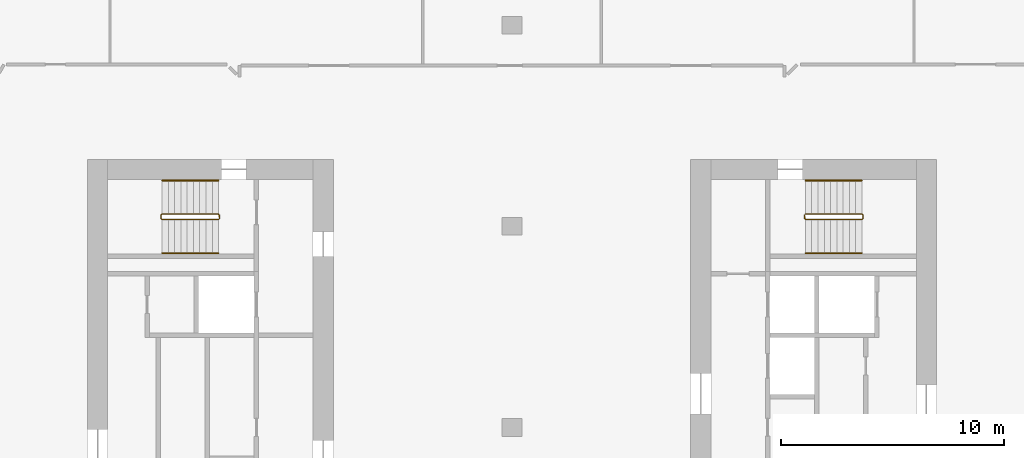
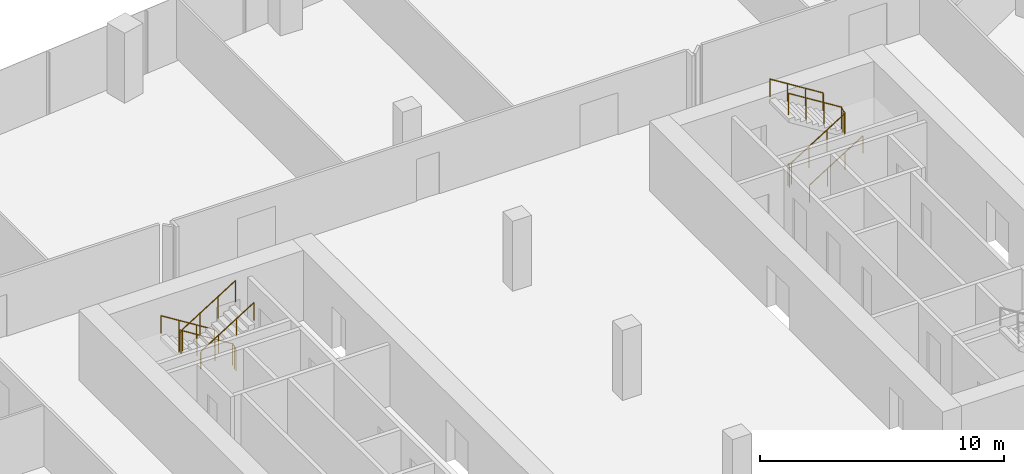
# One storey, part 25 of 25: 6 railings.
"""IFC4 building model written with IfcOpenShell, lengths in metres."""

from ifc_helpers import new_model, si_unit, direction, frame, origin, origin_2d, place, context, subcontext, project, spatial, circle, extrude, material, type_object, element, save


model = new_model("IFC4")

# Units and contexts
model_context = context("Model", 3, precision=1e-05, world=origin(), true_north=direction((0.0, 1.0)))
body_context = subcontext(model_context, "Body", "Model", "MODEL_VIEW")
ifc_project = project(units=[si_unit("LENGTHUNIT", "METRE"), si_unit("AREAUNIT", "SQUARE_METRE"), si_unit("VOLUMEUNIT", "CUBIC_METRE"), si_unit("PLANEANGLEUNIT", "RADIAN"), si_unit("MASSUNIT", "GRAM", prefix="KILO")], contexts=[model_context])

# Site, building, storey
site_placement = place(None, origin())
site = spatial("IfcSite", under=ifc_project, at=site_placement, CompositionType="ELEMENT")
building_placement = place(site_placement, origin())
building = spatial("IfcBuilding", under=site, at=building_placement, Name="Orlundy Tower", CompositionType="ELEMENT")
storey_placement = place(building_placement, frame((0.0, 0.0, 217.5)))
storey = spatial("IfcBuildingStorey", under=building, at=storey_placement, Name="L57", CompositionType="ELEMENT", Elevation=217.5)

# Railings
ifc_material_1 = material(Name="Steel balustrade", Category="steel")
railing_type_1 = type_object("IfcRailingType", Name="Stair Guard 1100", PredefinedType="GUARDRAIL", material=ifc_material_1)
railing_1_placement = place(storey_placement, frame((-13.090087890625, 9.5, 0.0)))
element("IfcRailing", 1, at=railing_1_placement, inside=storey, type_object=railing_type_1, Name="L57 ST-W1 stair guard 1", PredefinedType="GUARDRAIL", context=body_context, shape_type="SweptSolid", body=[
    extrude(circle(Radius=0.02392578125, at=origin_2d()), frame((0.0, 0.0, 1.076171875), z_axis=(0.0, -1.0, 0.0), x_axis=(1.0, 0.0, 0.0)), (0.0, 0.0, 1.0), 0.14990234375),
    extrude(circle(Radius=0.02392578125, at=origin_2d()), frame((0.0, -0.14990234375, 1.076171875), z_axis=(-0.18420542264, 0.739530593833, 0.647427882513), x_axis=(-0.970351222016, -0.241699205484, 0.0)), (0.0, 0.0, 1.0), 0.270263671875),
    extrude(circle(Radius=0.02392578125, at=origin_2d()), frame((-0.0498046875, 0.050048828125, 1.2509765625), z_axis=(-0.848007534815, 0.0, 0.529984170421), x_axis=(0.0, -1.0, 0.0)), (0.0, 0.0, 1.0), 2.9716796875),
    extrude(circle(Radius=0.02392578125, at=origin_2d()), frame((-2.56982421875, 0.050048828125, 2.826171875), z_axis=(-0.707106781187, -0.707106781187, 0.0), x_axis=(0.707106781187, -0.707106781187, 0.0)), (0.0, 0.0, 1.0), 0.07080078125),
    extrude(circle(Radius=0.02392578125, at=origin_2d()), frame((-2.619873046875, 0.0, 2.826171875), z_axis=(0.0, -1.0, 0.0), x_axis=(1.0, 0.0, 0.0)), (0.0, 0.0, 1.0), 0.14990234375),
    extrude(circle(Radius=0.02392578125, at=origin_2d()), frame((-2.619873046875, -0.14990234375, 2.826171875), z_axis=(0.265065253269, -0.265065253269, 0.927081885822), x_axis=(0.707106781187, 0.707106781187, 0.0)), (0.0, 0.0, 1.0), 0.188720703125),
    extrude(circle(Radius=0.02392578125, at=origin_2d()), frame((-2.56982421875, -0.199951171875, 3.0009765625), z_axis=(0.848007534815, 0.0, 0.529984170421), x_axis=(0.0, 1.0, 0.0)), (0.0, 0.0, 1.0), 2.9716796875),
    extrude(circle(Radius=0.02099609375, at=origin_2d()), origin(), (0.0, 0.0, 1.0), 1.052001953125),
    extrude(circle(Radius=0.02099609375, at=origin_2d()), frame((0.0, -0.14990234375, 0.0)), (0.0, 0.0, 1.0), 1.052001953125),
    extrude(circle(Radius=0.02099609375, at=origin_2d()), frame((-0.0498046875, 0.050048828125, 0.175048828125)), (0.0, 0.0, 1.0), 1.052001953125),
    extrude(circle(Radius=0.02099609375, at=origin_2d()), frame((-0.889892578125, 0.050048828125, 0.699951171875)), (0.0, 0.0, 1.0), 1.052001953125),
    extrude(circle(Radius=0.02099609375, at=origin_2d()), frame((-1.729736328125, 0.050048828125, 1.22509765625)), (0.0, 0.0, 1.0), 1.052001953125),
    extrude(circle(Radius=0.02099609375, at=origin_2d()), frame((-2.56982421875, 0.050048828125, 1.75)), (0.0, 0.0, 1.0), 1.052001953125),
    extrude(circle(Radius=0.02099609375, at=origin_2d()), frame((-2.619873046875, 0.0, 1.75)), (0.0, 0.0, 1.0), 1.052001953125),
    extrude(circle(Radius=0.02099609375, at=origin_2d()), frame((-2.619873046875, -0.14990234375, 1.75)), (0.0, 0.0, 1.0), 1.052001953125),
    extrude(circle(Radius=0.02099609375, at=origin_2d()), frame((-2.56982421875, -0.199951171875, 1.925048828125)), (0.0, 0.0, 1.0), 1.052001953125),
    extrude(circle(Radius=0.02099609375, at=origin_2d()), frame((-1.729736328125, -0.199951171875, 2.449951171875)), (0.0, 0.0, 1.0), 1.052001953125),
    extrude(circle(Radius=0.02099609375, at=origin_2d()), frame((-0.889892578125, -0.199951171875, 2.97509765625)), (0.0, 0.0, 1.0), 1.052001953125),
    extrude(circle(Radius=0.02099609375, at=origin_2d()), frame((-0.0498046875, -0.199951171875, 3.5)), (0.0, 0.0, 1.0), 1.052001953125),
])
railing_2_placement = place(storey_placement, frame((13.090087890625, 9.35009765625, 0.0)))
element("IfcRailing", 2, at=railing_2_placement, inside=storey, type_object=railing_type_1, Name="L57 ST-E2 stair guard 1", PredefinedType="GUARDRAIL", context=body_context, shape_type="SweptSolid", body=[
    extrude(circle(Radius=0.02392578125, at=origin_2d()), frame((0.0, 0.0, 1.076171875), z_axis=(0.0, 1.0, 0.0), x_axis=(-1.0, 0.0, 0.0)), (0.0, 0.0, 1.0), 0.14990234375),
    extrude(circle(Radius=0.02392578125, at=origin_2d()), frame((0.0, 0.14990234375, 1.076171875), z_axis=(0.18420542264, -0.739530593833, 0.647427882513), x_axis=(0.970351222016, 0.241699205484, 0.0)), (0.0, 0.0, 1.0), 0.270263671875),
    extrude(circle(Radius=0.02392578125, at=origin_2d()), frame((0.0498046875, -0.050048828125, 1.2509765625), z_axis=(0.848007534815, 0.0, 0.529984170421), x_axis=(0.0, 1.0, 0.0)), (0.0, 0.0, 1.0), 2.9716796875),
    extrude(circle(Radius=0.02392578125, at=origin_2d()), frame((2.56982421875, -0.050048828125, 2.826171875), z_axis=(0.707106781187, 0.707106781187, 0.0), x_axis=(-0.707106781187, 0.707106781187, 0.0)), (0.0, 0.0, 1.0), 0.07080078125),
    extrude(circle(Radius=0.02392578125, at=origin_2d()), frame((2.619873046875, 0.0, 2.826171875), z_axis=(0.0, 1.0, 0.0), x_axis=(-1.0, 0.0, 0.0)), (0.0, 0.0, 1.0), 0.14990234375),
    extrude(circle(Radius=0.02392578125, at=origin_2d()), frame((2.619873046875, 0.14990234375, 2.826171875), z_axis=(-0.265065253269, 0.265065253269, 0.927081885822), x_axis=(-0.707106781187, -0.707106781187, 0.0)), (0.0, 0.0, 1.0), 0.188720703125),
    extrude(circle(Radius=0.02392578125, at=origin_2d()), frame((2.56982421875, 0.199951171875, 3.0009765625), z_axis=(-0.848007534815, 0.0, 0.529984170421), x_axis=(0.0, -1.0, 0.0)), (0.0, 0.0, 1.0), 2.9716796875),
    extrude(circle(Radius=0.02099609375, at=origin_2d()), origin(), (0.0, 0.0, 1.0), 1.052001953125),
    extrude(circle(Radius=0.02099609375, at=origin_2d()), frame((0.0, 0.14990234375, 0.0)), (0.0, 0.0, 1.0), 1.052001953125),
    extrude(circle(Radius=0.02099609375, at=origin_2d()), frame((0.0498046875, -0.050048828125, 0.175048828125)), (0.0, 0.0, 1.0), 1.052001953125),
    extrude(circle(Radius=0.02099609375, at=origin_2d()), frame((0.889892578125, -0.050048828125, 0.699951171875)), (0.0, 0.0, 1.0), 1.052001953125),
    extrude(circle(Radius=0.02099609375, at=origin_2d()), frame((1.729736328125, -0.050048828125, 1.22509765625)), (0.0, 0.0, 1.0), 1.052001953125),
    extrude(circle(Radius=0.02099609375, at=origin_2d()), frame((2.56982421875, -0.050048828125, 1.75)), (0.0, 0.0, 1.0), 1.052001953125),
    extrude(circle(Radius=0.02099609375, at=origin_2d()), frame((2.619873046875, 0.0, 1.75)), (0.0, 0.0, 1.0), 1.052001953125),
    extrude(circle(Radius=0.02099609375, at=origin_2d()), frame((2.619873046875, 0.14990234375, 1.75)), (0.0, 0.0, 1.0), 1.052001953125),
    extrude(circle(Radius=0.02099609375, at=origin_2d()), frame((2.56982421875, 0.199951171875, 1.925048828125)), (0.0, 0.0, 1.0), 1.052001953125),
    extrude(circle(Radius=0.02099609375, at=origin_2d()), frame((1.729736328125, 0.199951171875, 2.449951171875)), (0.0, 0.0, 1.0), 1.052001953125),
    extrude(circle(Radius=0.02099609375, at=origin_2d()), frame((0.889892578125, 0.199951171875, 2.97509765625)), (0.0, 0.0, 1.0), 1.052001953125),
    extrude(circle(Radius=0.02099609375, at=origin_2d()), frame((0.0498046875, 0.199951171875, 3.5)), (0.0, 0.0, 1.0), 1.052001953125),
])
ifc_material_2 = material(Name="Steel handrail", Category="steel")
railing_type_2 = type_object("IfcRailingType", Name="Stair Handrail 900", PredefinedType="HANDRAIL", material=ifc_material_2)
railing_3_placement = place(storey_placement, frame((-13.139892578125, 11.050048828125, 0.175048828125)))
element("IfcRailing", 3, at=railing_3_placement, inside=storey, type_object=railing_type_2, Name="L57 ST-W1 stair handrail 1", PredefinedType="HANDRAIL", context=body_context, shape_type="SweptSolid", body=[
    extrude(circle(Radius=0.02392578125, at=origin_2d()), frame((0.0, 0.0, 0.8759765625), z_axis=(-0.848007534815, 0.0, 0.529984170421), x_axis=(0.0, -1.0, 0.0)), (0.0, 0.0, 1.0), 2.9716796875),
    extrude(circle(Radius=0.02099609375, at=origin_2d()), origin(), (0.0, 0.0, 1.0), 0.851806640625),
    extrude(circle(Radius=0.02099609375, at=origin_2d()), frame((-0.840087890625, 0.0, 0.52490234375)), (0.0, 0.0, 1.0), 0.851806640625),
    extrude(circle(Radius=0.02099609375, at=origin_2d()), frame((-1.679931640625, 0.0, 1.050048828125)), (0.0, 0.0, 1.0), 0.851806640625),
    extrude(circle(Radius=0.02099609375, at=origin_2d()), frame((-2.52001953125, 0.0, 1.574951171875)), (0.0, 0.0, 1.0), 0.851806640625),
])
for number, where, name in (
    (4, (-15.659912109375, 7.800048828125, 1.925048828125), "L57 ST-W1 stair handrail 2"),
    (5, (13.139892578125, 7.800048828125, 0.175048828125), "L57 ST-E2 stair handrail 1"),
):
    element("IfcRailing", number, at=place(storey_placement, frame(where)), inside=storey, type_object=railing_type_2, Name=name, PredefinedType="HANDRAIL", context=body_context, shape_type="SweptSolid", body=[
        extrude(circle(Radius=0.02392578125, at=origin_2d()), frame((0.0, 0.0, 0.8759765625), z_axis=(0.848007534815, 0.0, 0.529984170421), x_axis=(0.0, 1.0, 0.0)), (0.0, 0.0, 1.0), 2.9716796875),
        extrude(circle(Radius=0.02099609375, at=origin_2d()), origin(), (0.0, 0.0, 1.0), 0.851806640625),
        extrude(circle(Radius=0.02099609375, at=origin_2d()), frame((0.840087890625, 0.0, 0.52490234375)), (0.0, 0.0, 1.0), 0.851806640625),
        extrude(circle(Radius=0.02099609375, at=origin_2d()), frame((1.679931640625, 0.0, 1.050048828125)), (0.0, 0.0, 1.0), 0.851806640625),
        extrude(circle(Radius=0.02099609375, at=origin_2d()), frame((2.52001953125, 0.0, 1.574951171875)), (0.0, 0.0, 1.0), 0.851806640625),
    ])
railing_4_placement = place(storey_placement, frame((15.659912109375, 11.050048828125, 1.925048828125)))
element("IfcRailing", 6, at=railing_4_placement, inside=storey, type_object=railing_type_2, Name="L57 ST-E2 stair handrail 2", PredefinedType="HANDRAIL", context=body_context, shape_type="SweptSolid", body=[
    extrude(circle(Radius=0.02392578125, at=origin_2d()), frame((0.0, 0.0, 0.8759765625), z_axis=(-0.848007534815, 0.0, 0.529984170421), x_axis=(0.0, -1.0, 0.0)), (0.0, 0.0, 1.0), 2.9716796875),
    extrude(circle(Radius=0.02099609375, at=origin_2d()), origin(), (0.0, 0.0, 1.0), 0.851806640625),
    extrude(circle(Radius=0.02099609375, at=origin_2d()), frame((-0.840087890625, 0.0, 0.52490234375)), (0.0, 0.0, 1.0), 0.851806640625),
    extrude(circle(Radius=0.02099609375, at=origin_2d()), frame((-1.679931640625, 0.0, 1.050048828125)), (0.0, 0.0, 1.0), 0.851806640625),
    extrude(circle(Radius=0.02099609375, at=origin_2d()), frame((-2.52001953125, 0.0, 1.574951171875)), (0.0, 0.0, 1.0), 0.851806640625),
])

save(model, "model.ifc")
